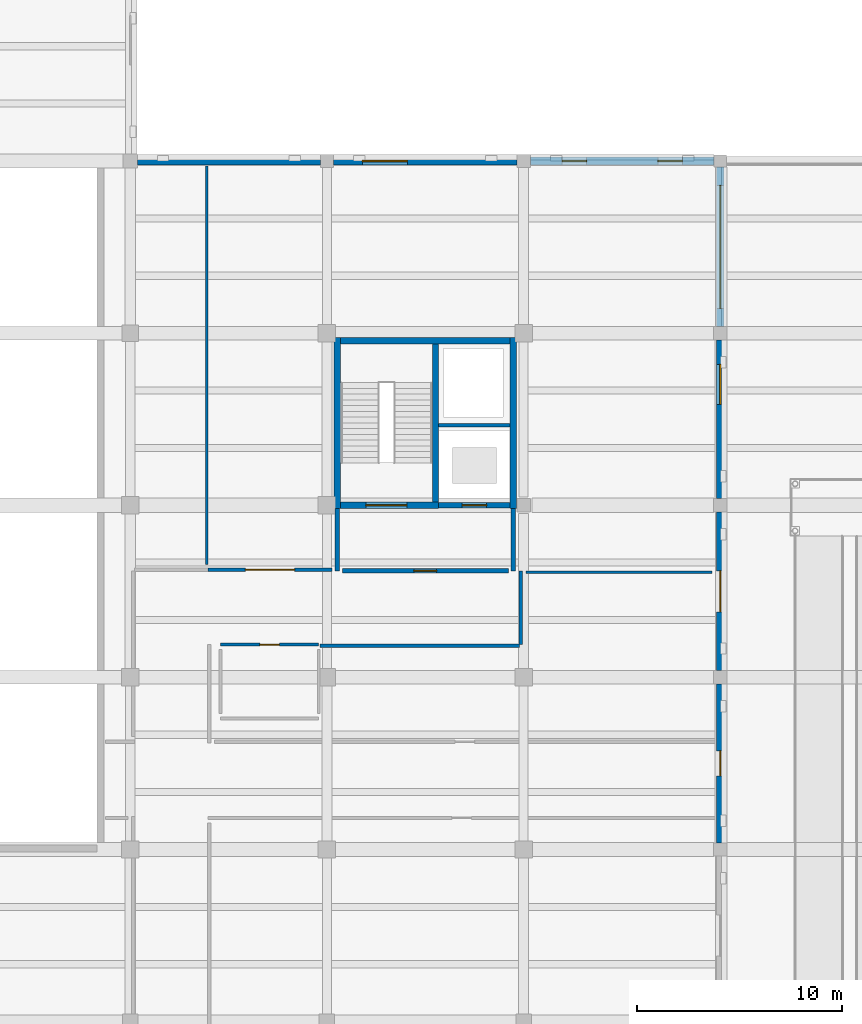
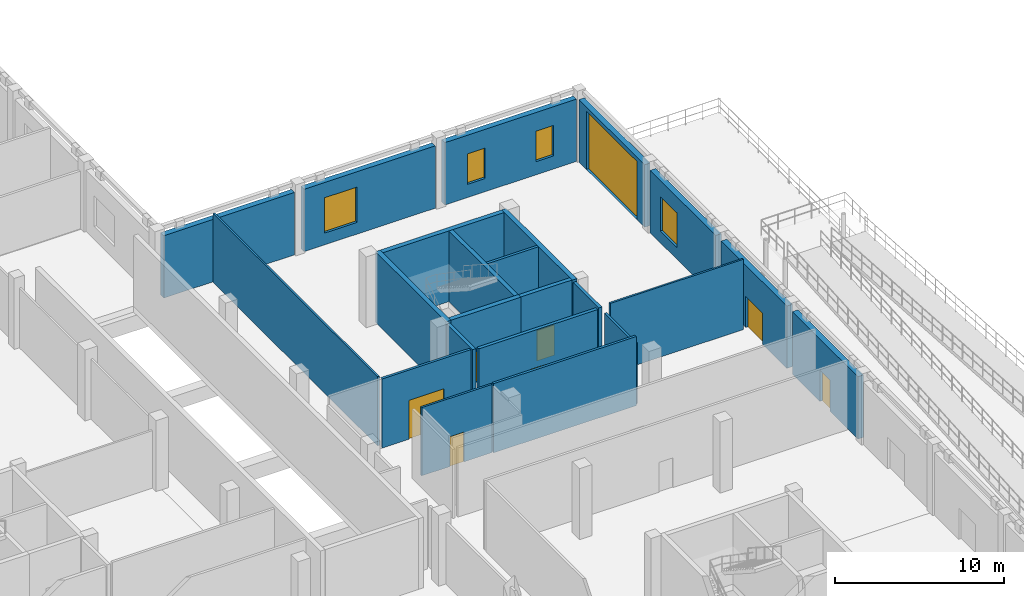
# One storey, part 59 of 71: 23 walls, 8 doors, 4 windows, 12 openings.
"""IFC4 building model written with IfcOpenShell, lengths in metres."""

from ifc_helpers import new_model, si_unit, direction, frame, frame_2d, origin, place, context, subcontext, project, spatial, rectangle, extrude, material, layer, layer_set, type_object, element, fill, save


model = new_model("IFC4")

# Units and contexts
model_context = context("Model", 3, precision=1e-05, world=origin(), true_north=direction((0.0, 1.0)))
body_context = subcontext(model_context, "Body", "Model", "MODEL_VIEW")
ifc_project = project(units=[si_unit("LENGTHUNIT", "METRE"), si_unit("AREAUNIT", "SQUARE_METRE"), si_unit("VOLUMEUNIT", "CUBIC_METRE"), si_unit("PLANEANGLEUNIT", "RADIAN"), si_unit("MASSUNIT", "GRAM", prefix="KILO")], contexts=[model_context])

# Site, building, storey
site_placement = place(None, origin())
site = spatial("IfcSite", under=ifc_project, at=site_placement, CompositionType="ELEMENT")
building_placement = place(site_placement, origin())
building = spatial("IfcBuilding", under=site, at=building_placement, Name="Lornevale Opera House", CompositionType="ELEMENT")
storey_placement = place(building_placement, origin())
storey = spatial("IfcBuildingStorey", under=building, at=storey_placement, Name="L01", CompositionType="ELEMENT", Elevation=0.0)

# Wall, opening, door
ifc_material_1 = material(Name="Concrete 40 MPa (CSA A23.1 C-1)", Category="concrete")
ifc_layer_1 = layer(ifc_material_1, 0.320068359375)
ifc_layer_set_1 = layer_set([ifc_layer_1], Name="Concrete 40 MPa (CSA A23.1 C-1)")
wall_type_1 = type_object("IfcWallType", Name="Core Shear Wall 320", PredefinedType="SHEAR", material=ifc_layer_set_1)
wall_1_placement = place(storey_placement, frame((135.06005859375, 67.199951171875, 0.0), z_axis=(0.0, 0.0, 1.0), x_axis=(1.0, 0.0, 0.0)))
wall_1 = element("IfcWall", 1, at=wall_1_placement, inside=storey, type_object=wall_type_1, Name="Backstage Firefighter Core East Core Shear Wall 320 WL-COR-0275", PredefinedType="SHEAR", context=body_context, shape_type="SweptSolid", body=[
    extrude(rectangle(XDim=4.780029296875, YDim=0.320068359375, at=frame_2d((2.39013671875, 0.0))), origin(), (0.0, 0.0, 1.0), 5.10009765625),
])
opening_1_placement = place(wall_1_placement, frame((1.239990234375, 0.0, 0.0)))
opening_1 = element("IfcOpeningElement", 2, at=opening_1_placement, cuts=wall_1, Name="Opening DR-T12", PredefinedType="OPENING", context=body_context, shape_type="SweptSolid", body=[
    extrude(rectangle(XDim=2.0, YDim=2.199951171875, at=frame_2d((1.0, 1.10009765625))), frame((0.0, 0.169921875, 0.0), z_axis=(0.0, -1.0, 0.0), x_axis=(1.0, 0.0, 0.0)), (0.0, 0.0, 1.0), 0.340087890625),
])
ifc_material_2 = material(Name="Painted Hollow Metal Door Steel", Category="steel")
ifc_layer_2 = layer(ifc_material_2, 2.199951171875)
ifc_layer_set_2 = layer_set([ifc_layer_2], Name="Painted Hollow Metal Door Steel")
door_type_1 = type_object("IfcDoorType", Name="Exit Stair Discharge Pair 2000x2200", OperationType="NOTDEFINED", PredefinedType="DOOR", material=ifc_layer_set_2)
door_1_placement = place(opening_1_placement, origin())
door_1 = element("IfcDoor", 3, at=door_1_placement, inside=storey, type_object=door_type_1, Name="C7 Stair Door L01", OperationType="DOUBLE_SWING_LEFT", OverallHeight=2.199951171875, OverallWidth=2.0, PredefinedType="DOOR", context=body_context, shape_type="SweptSolid", body=[
    extrude(rectangle(XDim=2.0, YDim=2.199951171875, at=frame_2d((1.0, 1.10009765625))), frame((0.0, 0.02490234375, 0.0), z_axis=(0.0, -1.0, 0.0), x_axis=(1.0, 0.0, 0.0)), (0.0, 0.0, 1.0), 0.050048828125),
])
fill(opening_1, door_1)

# Walls
wall_2_placement = place(storey_placement, frame((143.340087890625, 75.239990234375, 0.0), z_axis=(0.0, 0.0, 1.0), x_axis=(-1.0, 0.0, 0.0)))
element("IfcWall", 4, at=wall_2_placement, inside=storey, type_object=wall_type_1, Name="Backstage Firefighter Core East Core Shear Wall 320 WL-COR-0277", PredefinedType="SHEAR", context=body_context, shape_type="SweptSolid", body=[
    extrude(rectangle(XDim=8.280029296875, YDim=0.320068359375, at=frame_2d((4.14013671875, 0.0))), origin(), (0.0, 0.0, 1.0), 5.10009765625),
])
for number, where, z_axis, x_axis, name in (
    (5, (134.89990234375, 75.39990234375, 0.0), (0.0, 0.0, 1.0), (0.0, -1.0, 0.0), "Backstage Firefighter Core East Core Shear Wall 320 WL-COR-0278"),
    (6, (143.5, 67.0400390625, 0.0), (0.0, 0.0, 1.0), (0.0, 1.0, 0.0), "Backstage Firefighter Core East Core Shear Wall 320 WL-COR-0279"),
):
    element("IfcWall", number, at=place(storey_placement, frame(where, z_axis=z_axis, x_axis=x_axis)), inside=storey, type_object=wall_type_1, Name=name, PredefinedType="SHEAR", context=body_context, shape_type="SweptSolid", body=[
        extrude(rectangle(XDim=8.35986328125, YDim=0.320068359375, at=frame_2d((4.179931640625, 0.0))), origin(), (0.0, 0.0, 1.0), 5.10009765625),
    ])

# Wall, opening, door
ifc_material_3 = material(Name="Acoustic Mineral-Core Gypsum Partition", Category="gypsum")
ifc_layer_3 = layer(ifc_material_3, 0.1650390625)
ifc_layer_set_3 = layer_set([ifc_layer_3], Name="Acoustic Mineral-Core Gypsum Partition")
wall_type_2 = type_object("IfcWallType", Name="Corridor Rated Partition 165", PredefinedType="PARTITIONING", material=ifc_layer_set_3)
wall_3_placement = place(storey_placement, frame((128.60009765625, 64.06005859375, 0.0), z_axis=(0.0, 0.0, 1.0), x_axis=(1.0, 0.0, 0.0)))
wall_3 = element("IfcWall", 7, at=wall_3_placement, inside=storey, type_object=wall_type_2, Name="L01 Partition WL-INT-0690", PredefinedType="PARTITIONING", context=body_context, shape_type="SweptSolid", body=[
    extrude(rectangle(XDim=6.0498046875, YDim=0.1650390625, at=frame_2d((3.02490234375, 0.0))), origin(), (0.0, 0.0, 1.0), 4.989990234375),
])
opening_2_placement = place(wall_3_placement, frame((1.824951171875, 0.0, 0.0)))
opening_2 = element("IfcOpeningElement", 8, at=opening_2_placement, cuts=wall_3, Name="Opening DR-T16", PredefinedType="OPENING", context=body_context, shape_type="SweptSolid", body=[
    extrude(rectangle(XDim=2.39990234375, YDim=2.800048828125, at=frame_2d((1.199951171875, 1.39990234375))), frame((0.0, 0.092529296875, 0.0), z_axis=(0.0, -1.0, 0.0), x_axis=(1.0, 0.0, 0.0)), (0.0, 0.0, 1.0), 0.18505859375),
])
ifc_layer_4 = layer(ifc_material_2, 2.800048828125)
ifc_layer_set_4 = layer_set([ifc_layer_4], Name="Painted Hollow Metal Door Steel")
door_type_2 = type_object("IfcDoorType", Name="Stage Scenery Double Door 2400x2800", OperationType="NOTDEFINED", PredefinedType="DOOR", material=ifc_layer_set_4)
door_2_placement = place(opening_2_placement, origin())
door_2 = element("IfcDoor", 9, at=door_2_placement, inside=storey, type_object=door_type_2, Name="Stage Lighting & Audio Shop Door", OperationType="DOUBLE_SWING_LEFT", OverallHeight=2.800048828125, OverallWidth=2.39990234375, PredefinedType="DOOR", context=body_context, shape_type="SweptSolid", body=[
    extrude(rectangle(XDim=2.39990234375, YDim=2.800048828125, at=frame_2d((1.199951171875, 1.39990234375))), frame((0.0, 0.02490234375, 0.0), z_axis=(0.0, -1.0, 0.0), x_axis=(1.0, 0.0, 0.0)), (0.0, 0.0, 1.0), 0.050048828125),
])
fill(opening_2, door_2)

# Walls
wall_4_placement = place(storey_placement, frame((143.860107421875, 60.39990234375, 0.0), z_axis=(0.0, 0.0, 1.0), x_axis=(0.0, 1.0, 0.0)))
element("IfcWall", 10, at=wall_4_placement, inside=storey, type_object=wall_type_2, Name="L01 Partition WL-INT-0710", PredefinedType="PARTITIONING", context=body_context, shape_type="SweptSolid", body=[
    extrude(rectangle(XDim=3.60009765625, YDim=0.1650390625, at=frame_2d((1.800048828125, 0.0))), origin(), (0.0, 0.0, 1.0), 4.39990234375),
])
wall_5_placement = place(storey_placement, frame((134.06005859375, 60.340087890625, 0.0), z_axis=(0.0, 0.0, 1.0), x_axis=(1.0, 0.0, 0.0)))
element("IfcWall", 11, at=wall_5_placement, inside=storey, type_object=wall_type_2, Name="L01 Partition WL-INT-0711", PredefinedType="PARTITIONING", context=body_context, shape_type="SweptSolid", body=[
    extrude(rectangle(XDim=9.739990234375, YDim=0.1650390625, at=frame_2d((4.8701171875, 0.0))), origin(), (0.0, 0.0, 1.0), 4.989990234375),
])
ifc_layer_5 = layer(ifc_material_3, 0.125)
ifc_layer_set_5 = layer_set([ifc_layer_5], Name="Acoustic Mineral-Core Gypsum Partition")
wall_type_3 = type_object("IfcWallType", Name="Dressing Suite Partition 125", PredefinedType="PARTITIONING", material=ifc_layer_set_5)
wall_6_placement = place(storey_placement, frame((128.5400390625, 64.31005859375, 0.0), z_axis=(0.0, 0.0, 1.0), x_axis=(0.0, 1.0, 0.0)))
element("IfcWall", 12, at=wall_6_placement, inside=storey, type_object=wall_type_3, Name="L01 Partition WL-INT-0747", PredefinedType="PARTITIONING", context=body_context, shape_type="SweptSolid", body=[
    extrude(rectangle(XDim=19.43994140625, YDim=0.125, at=frame_2d((9.719970703125, 0.0))), origin(), (0.0, 0.0, 1.0), 4.989990234375),
])
wall_7_placement = place(storey_placement, frame((144.110107421875, 63.93994140625, 0.0), z_axis=(0.0, 0.0, 1.0), x_axis=(1.0, 0.0, 0.0)))
element("IfcWall", 13, at=wall_7_placement, inside=storey, type_object=wall_type_3, Name="L01 Partition WL-INT-0748", PredefinedType="PARTITIONING", context=body_context, shape_type="SweptSolid", body=[
    extrude(rectangle(XDim=9.094970703125, YDim=0.125, at=frame_2d((4.54736328125, 0.0))), origin(), (0.0, 0.0, 1.0), 5.070068359375),
])

# Wall, opening, door
ifc_layer_6 = layer(ifc_material_1, 0.280029296875)
ifc_layer_set_6 = layer_set([ifc_layer_6], Name="Concrete 40 MPa (CSA A23.1 C-1)")
wall_type_4 = type_object("IfcWallType", Name="Elevator Shaft Wall 280", PredefinedType="SHEAR", material=ifc_layer_set_6)
wall_8_placement = place(storey_placement, frame((139.840087890625, 67.199951171875, 0.0), z_axis=(0.0, 0.0, 1.0), x_axis=(1.0, 0.0, 0.0)))
wall_8 = element("IfcWall", 14, at=wall_8_placement, inside=storey, type_object=wall_type_4, Name="Backstage Firefighter Core East Elevator Shaft Wall 280 WL-COR-0276", PredefinedType="SHEAR", context=body_context, shape_type="SweptSolid", body=[
    extrude(rectangle(XDim=3.5, YDim=0.280029296875, at=frame_2d((1.75, 0.0))), origin(), (0.0, 0.0, 1.0), 5.10009765625),
])
opening_3_placement = place(wall_8_placement, frame((1.159912109375, 0.0, 0.0)))
opening_3 = element("IfcOpeningElement", 15, at=opening_3_placement, cuts=wall_8, Name="Opening DR-T26", PredefinedType="OPENING", context=body_context, shape_type="SweptSolid", body=[
    extrude(rectangle(XDim=1.199951171875, YDim=2.199951171875, at=frame_2d((0.60009765625, 1.10009765625))), frame((0.0, 0.14990234375, 0.0), z_axis=(0.0, -1.0, 0.0), x_axis=(1.0, 0.0, 0.0)), (0.0, 0.0, 1.0), 0.300048828125),
])
ifc_layer_7 = layer(ifc_material_2, 2.199951171875)
ifc_layer_set_7 = layer_set([ifc_layer_7], Name="Painted Hollow Metal Door Steel")
door_type_3 = type_object("IfcDoorType", Name="Firefighter Lift Landing Door 1200x2200", OperationType="NOTDEFINED", PredefinedType="DOOR", material=ifc_layer_set_7)
door_3_placement = place(opening_3_placement, origin())
door_3 = element("IfcDoor", 16, at=door_3_placement, inside=storey, type_object=door_type_3, Name="L-FF2 Landing Door L01", OperationType="SLIDING_TO_RIGHT", OverallHeight=2.199951171875, OverallWidth=1.199951171875, PredefinedType="DOOR", context=body_context, shape_type="SweptSolid", body=[
    extrude(rectangle(XDim=1.199951171875, YDim=2.199951171875, at=frame_2d((0.60009765625, 1.10009765625))), frame((0.0, 0.02490234375, 0.0), z_axis=(0.0, -1.0, 0.0), x_axis=(1.0, 0.0, 0.0)), (0.0, 0.0, 1.0), 0.050048828125),
])
fill(opening_3, door_3)

# Walls
wall_9_placement = place(storey_placement, frame((139.699951171875, 67.360107421875, 0.0), z_axis=(0.0, 0.0, 1.0), x_axis=(0.0, 1.0, 0.0)))
element("IfcWall", 17, at=wall_9_placement, inside=storey, type_object=wall_type_4, Name="Backstage Firefighter Core East Elevator Shaft Wall 280 WL-COR-0280", PredefinedType="SHEAR", context=body_context, shape_type="SweptSolid", body=[
    extrude(rectangle(XDim=7.719970703125, YDim=0.280029296875, at=frame_2d((3.85986328125, 0.0))), origin(), (0.0, 0.0, 1.0), 5.10009765625),
])
ifc_material_4 = material(Name="Concrete 35 MPa (CSA A23.1 N)", Category="concrete")
ifc_layer_8 = layer(ifc_material_4, 0.219970703125)
ifc_layer_set_8 = layer_set([ifc_layer_8], Name="Concrete 35 MPa (CSA A23.1 N)")
wall_type_5 = type_object("IfcWallType", Name="Firefighter Vestibule Wall 220", PredefinedType="SOLIDWALL", material=ifc_layer_set_8)
for number, where, z_axis, x_axis, name in (
    (18, (134.89990234375, 64.0, 0.0), (0.0, 0.0, 1.0), (0.0, 1.0, 0.0), "C7 Vestibule West Wall WL-INT-0391"),
    (19, (143.5, 64.0, 0.0), (0.0, 0.0, 1.0), (0.0, 1.0, 0.0), "C7 Vestibule East Wall WL-INT-0392"),
):
    element("IfcWall", number, at=place(storey_placement, frame(where, z_axis=z_axis, x_axis=x_axis)), inside=storey, type_object=wall_type_5, Name=name, PredefinedType="SOLIDWALL", context=body_context, shape_type="SweptSolid", body=[
        extrude(rectangle(XDim=3.0400390625, YDim=0.219970703125, at=frame_2d((1.52001953125, 0.0))), origin(), (0.0, 0.0, 1.0), 4.919921875),
    ])

# Wall, opening, door
wall_10_placement = place(storey_placement, frame((135.14990234375, 64.0, 0.0), z_axis=(0.0, 0.0, 1.0), x_axis=(1.0, 0.0, 0.0)))
wall_10 = element("IfcWall", 20, at=wall_10_placement, inside=storey, type_object=wall_type_5, Name="C7 Vestibule South Wall WL-INT-0393", PredefinedType="SOLIDWALL", context=body_context, shape_type="SweptSolid", body=[
    extrude(rectangle(XDim=8.10009765625, YDim=0.219970703125, at=frame_2d((4.050048828125, 0.0))), origin(), (0.0, 0.0, 1.0), 4.919921875),
])
opening_4_placement = place(wall_10_placement, frame((3.5, 0.0, 0.0)))
opening_4 = element("IfcOpeningElement", 21, at=opening_4_placement, cuts=wall_10, Name="Opening DR-T13", PredefinedType="OPENING", context=body_context, shape_type="SweptSolid", body=[
    extrude(rectangle(XDim=1.10009765625, YDim=2.199951171875, at=frame_2d((0.550048828125, 1.10009765625))), frame((0.0, 0.119873046875, 0.0), z_axis=(0.0, -1.0, 0.0), x_axis=(1.0, 0.0, 0.0)), (0.0, 0.0, 1.0), 0.239990234375),
])
ifc_layer_9 = layer(ifc_material_2, 2.199951171875)
ifc_layer_set_9 = layer_set([ifc_layer_9], Name="Painted Hollow Metal Door Steel")
door_type_4 = type_object("IfcDoorType", Name="Firefighter Vestibule Door 1100x2200", OperationType="NOTDEFINED", PredefinedType="DOOR", material=ifc_layer_set_9)
door_4_placement = place(opening_4_placement, origin())
door_4 = element("IfcDoor", 22, at=door_4_placement, inside=storey, type_object=door_type_4, Name="C7 Firefighter Vestibule Door L01", OperationType="SINGLE_SWING_LEFT", OverallHeight=2.199951171875, OverallWidth=1.10009765625, PredefinedType="DOOR", context=body_context, shape_type="SweptSolid", body=[
    extrude(rectangle(XDim=1.10009765625, YDim=2.199951171875, at=frame_2d((0.550048828125, 1.10009765625))), frame((0.0, 0.02490234375, 0.0), z_axis=(0.0, -1.0, 0.0), x_axis=(1.0, 0.0, 0.0)), (0.0, 0.0, 1.0), 0.050048828125),
])
fill(opening_4, door_4)

# Walls
ifc_material_5 = material(Name="Moisture-Resistant Ceramic & Gypsum Partition", Category="gypsum")
ifc_layer_10 = layer(ifc_material_5, 0.179931640625)
ifc_layer_set_10 = layer_set([ifc_layer_10], Name="Moisture-Resistant Ceramic & Gypsum Partition")
wall_type_6 = type_object("IfcWallType", Name="Riser Shaft Wall 180", PredefinedType="SOLIDWALL", material=ifc_layer_set_10)
wall_11_placement = place(storey_placement, frame((139.840087890625, 71.10009765625, 0.0), z_axis=(0.0, 0.0, 1.0), x_axis=(1.0, 0.0, 0.0)))
element("IfcWall", 23, at=wall_11_placement, inside=storey, type_object=wall_type_6, Name="Backstage Firefighter Core East Riser Shaft Wall 180 WL-COR-0281", PredefinedType="SOLIDWALL", context=body_context, shape_type="SweptSolid", body=[
    extrude(rectangle(XDim=3.5, YDim=0.179931640625, at=frame_2d((1.75, 0.0))), origin(), (0.0, 0.0, 1.0), 5.10009765625),
])
ifc_material_6 = material(Name="Credit Valley Sandstone Ashlar Masonry (25 MPa)", Category="masonry")
ifc_layer_11 = layer(ifc_material_6, 0.3798828125)
ifc_layer_set_11 = layer_set([ifc_layer_11], Name="Credit Valley Sandstone Ashlar Masonry (25 MPa)")
wall_type_7 = type_object("IfcWallType", Name="Sandstone Plinth Bearing Wall 380", PredefinedType="SOLIDWALL", material=ifc_layer_set_11)
wall_12_placement = place(storey_placement, frame((125.14990234375, 84.0, 0.0), z_axis=(0.0, 0.0, 1.0), x_axis=(1.0, 0.0, 0.0)))
element("IfcWall", 24, at=wall_12_placement, inside=storey, type_object=wall_type_7, Name="Sandstone Plinth Bearing Wall 380 WL-EXT-0178", PredefinedType="SOLIDWALL", context=body_context, shape_type="SweptSolid", body=[
    extrude(rectangle(XDim=8.925048828125, YDim=0.3798828125, at=frame_2d((4.46240234375, 0.0))), origin(), (0.0, 0.0, 1.0), 4.5),
])

# Wall, opening, window
wall_13_placement = place(storey_placement, frame((134.72509765625, 84.0, 0.0), z_axis=(0.0, 0.0, 1.0), x_axis=(1.0, 0.0, 0.0)))
wall_13 = element("IfcWall", 25, at=wall_13_placement, inside=storey, type_object=wall_type_7, Name="Sandstone Plinth Bearing Wall 380 WL-EXT-0180", PredefinedType="SOLIDWALL", context=body_context, shape_type="SweptSolid", body=[
    extrude(rectangle(XDim=8.949951171875, YDim=0.3798828125, at=frame_2d((4.47509765625, 0.0))), origin(), (0.0, 0.0, 1.0), 4.5),
])
opening_5_placement = place(wall_13_placement, frame((1.406005859375, 0.0, 0.85009765625)))
opening_5 = element("IfcOpeningElement", 26, at=opening_5_placement, cuts=wall_13, Name="Opening WN-T16", PredefinedType="OPENING", context=body_context, shape_type="SweptSolid", body=[
    extrude(rectangle(XDim=2.199951171875, YDim=2.550048828125, at=frame_2d((1.10009765625, 1.27490234375))), frame((0.0, 0.199951171875, 0.0), z_axis=(0.0, -1.0, 0.0), x_axis=(1.0, 0.0, 0.0)), (0.0, 0.0, 1.0), 0.39990234375),
])
ifc_material_7 = material(Name="Triple Low-E Insulated Glazing", Category="glass")
ifc_layer_12 = layer(ifc_material_7, 0.06005859375)
ifc_layer_set_12 = layer_set([ifc_layer_12], Name="Triple Low-E Insulated Glazing")
window_type_1 = type_object("IfcWindowType", Name="Manuscript Library Bay Window 2200x2550", PartitioningType="NOTDEFINED", PredefinedType="WINDOW", material=ifc_layer_set_12)
window_1_placement = place(opening_5_placement, origin())
window_1 = element("IfcWindow", 27, at=window_1_placement, inside=storey, type_object=window_type_1, Name="Manuscript Library Bay Window 2200x2550 WN-0030", OverallHeight=2.550048828125, OverallWidth=2.199951171875, PartitioningType="SINGLE_PANEL", PredefinedType="WINDOW", context=body_context, shape_type="SweptSolid", body=[
    extrude(rectangle(XDim=2.199951171875, YDim=2.550048828125, at=frame_2d((1.10009765625, 1.27490234375))), frame((0.0, 0.030029296875, 0.0), z_axis=(0.0, -1.0, 0.0), x_axis=(1.0, 0.0, 0.0)), (0.0, 0.0, 1.0), 0.06005859375),
])
fill(opening_5, window_1)

# Wall, opening, door
wall_14_placement = place(storey_placement, frame((153.60009765625, 58.47509765625, 0.0), z_axis=(0.0, 0.0, 1.0), x_axis=(0.0, -1.0, 0.0)))
wall_14 = element("IfcWall", 28, at=wall_14_placement, inside=storey, type_object=wall_type_7, Name="Sandstone Plinth Bearing Wall 380 WL-EXT-0186", PredefinedType="SOLIDWALL", context=body_context, shape_type="SweptSolid", body=[
    extrude(rectangle(XDim=7.75, YDim=0.3798828125, at=frame_2d((3.875, 0.0))), origin(), (0.0, 0.0, 1.0), 4.5),
])
opening_6_placement = place(wall_14_placement, frame((3.264892578125, 0.0, 0.0)))
opening_6 = element("IfcOpeningElement", 29, at=opening_6_placement, cuts=wall_14, Name="Opening DR-T05", PredefinedType="OPENING", context=body_context, shape_type="SweptSolid", body=[
    extrude(rectangle(XDim=1.219970703125, YDim=2.25, at=frame_2d((0.60986328125, 1.125))), frame((0.0, 0.199951171875, 0.0), z_axis=(0.0, -1.0, 0.0), x_axis=(1.0, 0.0, 0.0)), (0.0, 0.0, 1.0), 0.39990234375),
])
ifc_layer_13 = layer(ifc_material_2, 0.050048828125)
ifc_layer_set_13 = layer_set([ifc_layer_13], Name="Painted Hollow Metal Door Steel")
door_type_5 = type_object("IfcDoorType", Name="Exterior Final Exit Door 1220x2250", OperationType="NOTDEFINED", PredefinedType="DOOR", material=ifc_layer_set_13)
door_5_placement = place(opening_6_placement, origin())
door_5 = element("IfcDoor", 30, at=door_5_placement, inside=storey, type_object=door_type_5, Name="Exterior Final Exit Door 1220x2250 DR-EXT-033", OperationType="SINGLE_SWING_RIGHT", OverallHeight=2.25, OverallWidth=1.219970703125, PredefinedType="DOOR", context=body_context, shape_type="SweptSolid", body=[
    extrude(rectangle(XDim=1.219970703125, YDim=2.25, at=frame_2d((0.60986328125, 1.125))), frame((0.0, 0.02490234375, 0.0), z_axis=(0.0, -1.0, 0.0), x_axis=(1.0, 0.0, 0.0)), (0.0, 0.0, 1.0), 0.050048828125),
])
fill(opening_6, door_5)

wall_15_placement = place(storey_placement, frame((153.60009765625, 66.875, 0.0), z_axis=(0.0, 0.0, 1.0), x_axis=(0.0, -1.0, 0.0)))
wall_15 = element("IfcWall", 31, at=wall_15_placement, inside=storey, type_object=wall_type_7, Name="Sandstone Plinth Bearing Wall 380 WL-EXT-0187", PredefinedType="SOLIDWALL", context=body_context, shape_type="SweptSolid", body=[
    extrude(rectangle(XDim=7.75, YDim=0.3798828125, at=frame_2d((3.875, 0.0))), origin(), (0.0, 0.0, 1.0), 4.5),
])
opening_7_placement = place(wall_15_placement, frame((2.875, 0.0, 0.0)))
opening_7 = element("IfcOpeningElement", 32, at=opening_7_placement, cuts=wall_15, Name="Opening DR-T06", PredefinedType="OPENING", context=body_context, shape_type="SweptSolid", body=[
    extrude(rectangle(XDim=2.0, YDim=2.25, at=frame_2d((1.0, 1.125))), frame((0.0, 0.199951171875, 0.0), z_axis=(0.0, -1.0, 0.0), x_axis=(1.0, 0.0, 0.0)), (0.0, 0.0, 1.0), 0.39990234375),
])
ifc_layer_14 = layer(ifc_material_2, 0.050048828125)
ifc_layer_set_14 = layer_set([ifc_layer_14], Name="Painted Hollow Metal Door Steel")
door_type_6 = type_object("IfcDoorType", Name="Exterior Paired Exit Door 2000x2250", OperationType="NOTDEFINED", PredefinedType="DOOR", material=ifc_layer_set_14)
door_6_placement = place(opening_7_placement, origin())
door_6 = element("IfcDoor", 33, at=door_6_placement, inside=storey, type_object=door_type_6, Name="Exterior Paired Exit Door 2000x2250 DR-EXT-034", OperationType="DOUBLE_DOOR_SINGLE_SWING", OverallHeight=2.25, OverallWidth=2.0, PredefinedType="DOOR", context=body_context, shape_type="SweptSolid", body=[
    extrude(rectangle(XDim=2.0, YDim=2.25, at=frame_2d((1.0, 1.125))), frame((0.0, 0.02490234375, 0.0), z_axis=(0.0, -1.0, 0.0), x_axis=(1.0, 0.0, 0.0)), (0.0, 0.0, 1.0), 0.050048828125),
])
fill(opening_7, door_6)

# Wall, opening, window
wall_16_placement = place(storey_placement, frame((153.60009765625, 75.27490234375, 0.0), z_axis=(0.0, 0.0, 1.0), x_axis=(0.0, -1.0, 0.0)))
wall_16 = element("IfcWall", 34, at=wall_16_placement, inside=storey, type_object=wall_type_7, Name="Sandstone Plinth Bearing Wall 380 WL-EXT-0188", PredefinedType="SOLIDWALL", context=body_context, shape_type="SweptSolid", body=[
    extrude(rectangle(XDim=7.75, YDim=0.3798828125, at=frame_2d((3.875, 0.0))), origin(), (0.0, 0.0, 1.0), 4.5),
])
opening_8_placement = place(wall_16_placement, frame((1.195068359375, 0.0, 0.85009765625)))
opening_8 = element("IfcOpeningElement", 35, at=opening_8_placement, cuts=wall_16, Name="Opening WN-T20", PredefinedType="OPENING", context=body_context, shape_type="SweptSolid", body=[
    extrude(rectangle(XDim=1.949951171875, YDim=2.5, at=frame_2d((0.97509765625, 1.25))), frame((0.0, 0.199951171875, 0.0), z_axis=(0.0, -1.0, 0.0), x_axis=(1.0, 0.0, 0.0)), (0.0, 0.0, 1.0), 0.39990234375),
])
ifc_layer_15 = layer(ifc_material_7, 0.06005859375)
ifc_layer_set_15 = layer_set([ifc_layer_15], Name="Triple Low-E Insulated Glazing")
window_type_2 = type_object("IfcWindowType", Name="Belvedere Corner Window 1950x2500", PartitioningType="NOTDEFINED", PredefinedType="WINDOW", material=ifc_layer_set_15)
window_2_placement = place(opening_8_placement, origin())
window_2 = element("IfcWindow", 36, at=window_2_placement, inside=storey, type_object=window_type_2, Name="Belvedere Corner Window 1950x2500 WN-0033", OverallHeight=2.5, OverallWidth=1.949951171875, PartitioningType="SINGLE_PANEL", PredefinedType="WINDOW", context=body_context, shape_type="SweptSolid", body=[
    extrude(rectangle(XDim=1.949951171875, YDim=2.5, at=frame_2d((0.97509765625, 1.25))), frame((0.0, 0.030029296875, 0.0), z_axis=(0.0, -1.0, 0.0), x_axis=(1.0, 0.0, 0.0)), (0.0, 0.0, 1.0), 0.06005859375),
])
fill(opening_8, window_2)

# Wall, openings, windows
wall_17_placement = place(storey_placement, frame((144.324951171875, 84.0, 0.0), z_axis=(0.0, 0.0, 1.0), x_axis=(1.0, 0.0, 0.0)))
wall_17 = element("IfcWall", 37, at=wall_17_placement, inside=storey, type_object=wall_type_7, Name="Sandstone Plinth Bearing Wall 380 WL-EXT-0189", PredefinedType="SOLIDWALL", context=body_context, shape_type="SweptSolid", body=[
    extrude(rectangle(XDim=8.97509765625, YDim=0.3798828125, at=frame_2d((4.487548828125, 0.0))), origin(), (0.0, 0.0, 1.0), 4.5),
])
opening_9_placement = place(wall_17_placement, frame((1.553955078125, 0.0, 0.949951171875)))
opening_9 = element("IfcOpeningElement", 38, at=opening_9_placement, cuts=wall_17, Name="Opening WN-T03", PredefinedType="OPENING", context=body_context, shape_type="SweptSolid", body=[
    extrude(rectangle(XDim=1.199951171875, YDim=2.199951171875, at=frame_2d((0.60009765625, 1.10009765625))), frame((0.0, 0.199951171875, 0.0), z_axis=(0.0, -1.0, 0.0), x_axis=(1.0, 0.0, 0.0)), (0.0, 0.0, 1.0), 0.39990234375),
])
opening_10_placement = place(wall_17_placement, frame((6.220947265625, 0.0, 0.949951171875)))
opening_10 = element("IfcOpeningElement", 39, at=opening_10_placement, cuts=wall_17, Name="Opening WN-T03", PredefinedType="OPENING", context=body_context, shape_type="SweptSolid", body=[
    extrude(rectangle(XDim=1.199951171875, YDim=2.199951171875, at=frame_2d((0.60009765625, 1.10009765625))), frame((0.0, 0.199951171875, 0.0), z_axis=(0.0, -1.0, 0.0), x_axis=(1.0, 0.0, 0.0)), (0.0, 0.0, 1.0), 0.39990234375),
])
ifc_layer_16 = layer(ifc_material_7, 0.06005859375)
ifc_layer_set_16 = layer_set([ifc_layer_16], Name="Triple Low-E Insulated Glazing")
window_type_3 = type_object("IfcWindowType", Name="Punched Deep-Reveal Window 1200x2200", PartitioningType="NOTDEFINED", PredefinedType="WINDOW", material=ifc_layer_set_16)
window_3_placement = place(opening_9_placement, origin())
window_3 = element("IfcWindow", 40, at=window_3_placement, inside=storey, type_object=window_type_3, Name="Punched Deep-Reveal Window 1200x2200 WN-0034", OverallHeight=2.199951171875, OverallWidth=1.199951171875, PartitioningType="SINGLE_PANEL", PredefinedType="WINDOW", context=body_context, shape_type="SweptSolid", body=[
    extrude(rectangle(XDim=1.199951171875, YDim=2.199951171875, at=frame_2d((0.60009765625, 1.10009765625))), frame((0.0, 0.030029296875, 0.0), z_axis=(0.0, -1.0, 0.0), x_axis=(1.0, 0.0, 0.0)), (0.0, 0.0, 1.0), 0.06005859375),
])
fill(opening_9, window_3)
window_4_placement = place(opening_10_placement, origin())
window_4 = element("IfcWindow", 41, at=window_4_placement, inside=storey, type_object=window_type_3, Name="Punched Deep-Reveal Window 1200x2200 WN-0035", OverallHeight=2.199951171875, OverallWidth=1.199951171875, PartitioningType="SINGLE_PANEL", PredefinedType="WINDOW", context=body_context, shape_type="SweptSolid", body=[
    extrude(rectangle(XDim=1.199951171875, YDim=2.199951171875, at=frame_2d((0.60009765625, 1.10009765625))), frame((0.0, 0.030029296875, 0.0), z_axis=(0.0, -1.0, 0.0), x_axis=(1.0, 0.0, 0.0)), (0.0, 0.0, 1.0), 0.06005859375),
])
fill(opening_10, window_4)

# Wall, opening, door
wall_18_placement = place(storey_placement, frame((153.60009765625, 83.699951171875, 0.0), z_axis=(0.0, 0.0, 1.0), x_axis=(0.0, -1.0, 0.0)))
wall_18 = element("IfcWall", 42, at=wall_18_placement, inside=storey, type_object=wall_type_7, Name="Sandstone Plinth Bearing Wall 380 WL-EXT-0190", PredefinedType="SOLIDWALL", context=body_context, shape_type="SweptSolid", body=[
    extrude(rectangle(XDim=7.77490234375, YDim=0.3798828125, at=frame_2d((3.887451171875, 0.0))), origin(), (0.0, 0.0, 1.0), 4.5),
])
opening_11_placement = place(wall_18_placement, frame((0.887939453125, 0.0, 0.0)))
opening_11 = element("IfcOpeningElement", 43, at=opening_11_placement, cuts=wall_18, Name="Opening DR-T08", PredefinedType="OPENING", context=body_context, shape_type="SweptSolid", body=[
    extrude(rectangle(XDim=6.0, YDim=4.199951171875, at=frame_2d((3.0, 2.10009765625))), frame((0.0, 0.199951171875, 0.0), z_axis=(0.0, -1.0, 0.0), x_axis=(1.0, 0.0, 0.0)), (0.0, 0.0, 1.0), 0.39990234375),
])
ifc_layer_17 = layer(ifc_material_2, 0.050048828125)
ifc_layer_set_17 = layer_set([ifc_layer_17], Name="Painted Hollow Metal Door Steel")
door_type_7 = type_object("IfcDoorType", Name="Parking Ramp Security Gate 6000x4200", OperationType="NOTDEFINED", PredefinedType="GATE", material=ifc_layer_set_17)
door_7_placement = place(opening_11_placement, origin())
door_7 = element("IfcDoor", 44, at=door_7_placement, inside=storey, type_object=door_type_7, Name="Parking Ramp Security Gate VG-01", OperationType="ROLLINGUP", OverallHeight=4.199951171875, OverallWidth=6.0, PredefinedType="GATE", context=body_context, shape_type="SweptSolid", body=[
    extrude(rectangle(XDim=6.0, YDim=4.199951171875, at=frame_2d((3.0, 2.10009765625))), frame((0.0, 0.02490234375, 0.0), z_axis=(0.0, -1.0, 0.0), x_axis=(1.0, 0.0, 0.0)), (0.0, 0.0, 1.0), 0.050048828125),
])
fill(opening_11, door_7)

ifc_layer_18 = layer(ifc_material_5, 0.139892578125)
ifc_layer_set_18 = layer_set([ifc_layer_18], Name="Moisture-Resistant Ceramic & Gypsum Partition")
wall_type_8 = type_object("IfcWallType", Name="Washroom Moisture Partition 140", PredefinedType="PARTITIONING", material=ifc_layer_set_18)
wall_19_placement = place(storey_placement, frame((129.199951171875, 60.39990234375, 0.0), z_axis=(0.0, 0.0, 1.0), x_axis=(1.0, 0.0, 0.0)))
wall_19 = element("IfcWall", 45, at=wall_19_placement, inside=storey, type_object=wall_type_8, Name="Stage Crew Washroom N Wall WL-INT-0461", PredefinedType="PARTITIONING", context=body_context, shape_type="SweptSolid", body=[
    extrude(rectangle(XDim=4.800048828125, YDim=0.139892578125, at=frame_2d((2.39990234375, 0.0))), origin(), (0.0, 0.0, 1.0), 4.919921875),
])
opening_12_placement = place(wall_19_placement, frame((1.925048828125, 0.0, 0.0)))
opening_12 = element("IfcOpeningElement", 46, at=opening_12_placement, cuts=wall_19, Name="Opening DR-T22", PredefinedType="OPENING", context=body_context, shape_type="SweptSolid", body=[
    extrude(rectangle(XDim=0.949951171875, YDim=2.14990234375, at=frame_2d((0.47509765625, 1.074951171875))), frame((0.0, 0.079833984375, 0.0), z_axis=(0.0, -1.0, 0.0), x_axis=(1.0, 0.0, 0.0)), (0.0, 0.0, 1.0), 0.159912109375),
])
ifc_material_8 = material(Name="White Oak Acoustic Panelling", Category="wood")
ifc_layer_19 = layer(ifc_material_8, 2.14990234375)
ifc_layer_set_19 = layer_set([ifc_layer_19], Name="White Oak Acoustic Panelling")
door_type_8 = type_object("IfcDoorType", Name="Washroom Door R 950x2150", OperationType="NOTDEFINED", PredefinedType="DOOR", material=ifc_layer_set_19)
door_8_placement = place(opening_12_placement, origin())
door_8 = element("IfcDoor", 47, at=door_8_placement, inside=storey, type_object=door_type_8, Name="Stage Crew Washroom Door", OperationType="SINGLE_SWING_RIGHT", OverallHeight=2.14990234375, OverallWidth=0.949951171875, PredefinedType="DOOR", context=body_context, shape_type="SweptSolid", body=[
    extrude(rectangle(XDim=0.949951171875, YDim=2.14990234375, at=frame_2d((0.47509765625, 1.074951171875))), frame((0.0, 0.02490234375, 0.0), z_axis=(0.0, -1.0, 0.0), x_axis=(1.0, 0.0, 0.0)), (0.0, 0.0, 1.0), 0.050048828125),
])
fill(opening_12, door_8)

save(model, "model.ifc")
